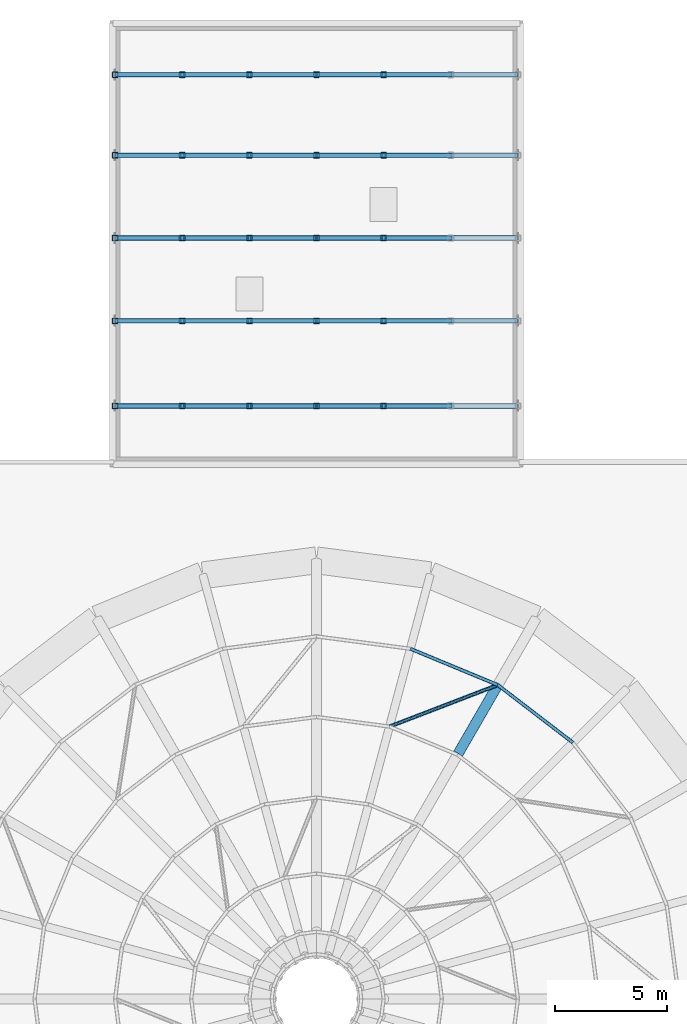
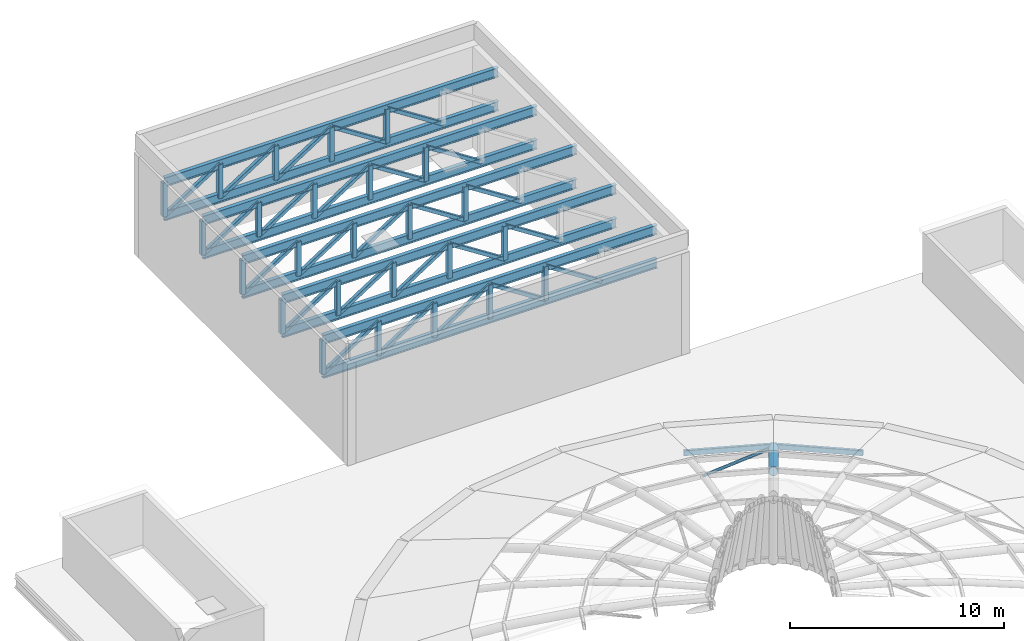
# One storey, part 13 of 25: 54 members, 10 beams.
"""IFC4 building model written with IfcOpenShell, lengths in metres."""

from ifc_helpers import new_model, si_unit, direction, frame, origin, origin_2d, place, context, subcontext, project, spatial, hollow_rectangle, hollow_circle, i_section, extrude, material, material_profile, profile_set, type_object, element, save


model = new_model("IFC4")

# Units and contexts
model_context = context("Model", 3, precision=1e-05, world=origin(), true_north=direction((0.0, 1.0)))
body_context = subcontext(model_context, "Body", "Model", "MODEL_VIEW")
ifc_project = project(units=[si_unit("LENGTHUNIT", "METRE"), si_unit("AREAUNIT", "SQUARE_METRE"), si_unit("VOLUMEUNIT", "CUBIC_METRE"), si_unit("PLANEANGLEUNIT", "RADIAN"), si_unit("MASSUNIT", "GRAM", prefix="KILO")], contexts=[model_context])

# Site, building, storey
site_placement = place(None, origin())
site = spatial("IfcSite", under=ifc_project, at=site_placement, CompositionType="ELEMENT")
building_placement = place(site_placement, origin())
building = spatial("IfcBuilding", under=site, at=building_placement, Name="Marnock Terrace Opera House", CompositionType="ELEMENT")
storey_placement = place(building_placement, frame((0.0, 0.0, 28.199951171875)))
storey = spatial("IfcBuildingStorey", under=building, at=storey_placement, Name="RF", CompositionType="ELEMENT", Elevation=28.199951171875)

# Beams
ifc_material_1 = material(Name="Steel Grade 350 (AS/NZS 3679.1)", Category="steel")
ifc_material_profile_1 = material_profile(ifc_material_1, i_section(OverallWidth=0.208984375, OverallDepth=0.532958984375, WebThickness=0.01025390625, FlangeThickness=0.015625, FilletRadius=0.013916015625, at=origin_2d()))
ifc_profile_set_1 = profile_set([ifc_material_profile_1], Name="Steel Grade 350 (AS/NZS 3679.1)")
beam_type_1 = type_object("IfcBeamType", Name="BM-GIRD-530A", PredefinedType="BEAM", material=ifc_profile_set_1)
for number, where, z_axis, x_axis, name in (
    (1, (73.0, 87.0, 5.510009765625), (1.0, 0.0, 0.0), (0.0, 1.0, 0.0), "Fly Tower Pratt truss 1 top chord"),
    (2, (73.0, 90.800048828125, 5.510009765625), (1.0, 0.0, 0.0), (0.0, 1.0, 0.0), "Fly Tower Pratt truss 2 top chord"),
    (3, (73.0, 94.5, 5.510009765625), (1.0, 0.0, 0.0), (0.0, 1.0, 0.0), "Fly Tower Pratt truss 3 top chord"),
    (4, (73.0, 98.199951171875, 5.510009765625), (1.0, 0.0, 0.0), (0.0, 1.0, 0.0), "Fly Tower Pratt truss 4 top chord"),
    (5, (73.0, 101.800048828125, 5.510009765625), (1.0, 0.0, 0.0), (0.0, 1.0, 0.0), "Fly Tower Pratt truss 5 top chord"),
):
    element("IfcBeam", number, at=place(storey_placement, frame(where, z_axis=z_axis, x_axis=x_axis)), inside=storey, type_object=beam_type_1, Name=name, PredefinedType="BEAM", context=body_context, shape_type="SweptSolid", body=[
        extrude(i_section(OverallWidth=0.208984375, OverallDepth=0.532958984375, WebThickness=0.01025390625, FlangeThickness=0.015625, FilletRadius=0.013916015625, at=origin_2d()), origin(), (0.0, 0.0, 1.0), 18.0),
    ])
ifc_material_profile_2 = material_profile(ifc_material_1, i_section(OverallWidth=0.208984375, OverallDepth=0.528076171875, WebThickness=0.009521484375, FlangeThickness=0.01318359375, FilletRadius=0.013916015625, at=origin_2d()))
ifc_profile_set_2 = profile_set([ifc_material_profile_2], Name="Steel Grade 350 (AS/NZS 3679.1)")
beam_type_2 = type_object("IfcBeamType", Name="BM-GIRD-530B", PredefinedType="BEAM", material=ifc_profile_set_2)
for number, where, z_axis, x_axis, name in (
    (6, (73.0, 87.0, 3.580078125), (1.0, 0.0, 0.0), (0.0, 1.0, 0.0), "Fly Tower Pratt truss 1 bottom chord"),
    (7, (73.0, 90.800048828125, 3.580078125), (1.0, 0.0, 0.0), (0.0, 1.0, 0.0), "Fly Tower Pratt truss 2 bottom chord"),
    (8, (73.0, 94.5, 3.580078125), (1.0, 0.0, 0.0), (0.0, 1.0, 0.0), "Fly Tower Pratt truss 3 bottom chord"),
    (9, (73.0, 98.199951171875, 3.580078125), (1.0, 0.0, 0.0), (0.0, 1.0, 0.0), "Fly Tower Pratt truss 4 bottom chord"),
    (10, (73.0, 101.800048828125, 3.580078125), (1.0, 0.0, 0.0), (0.0, 1.0, 0.0), "Fly Tower Pratt truss 5 bottom chord"),
):
    element("IfcBeam", number, at=place(storey_placement, frame(where, z_axis=z_axis, x_axis=x_axis)), inside=storey, type_object=beam_type_2, Name=name, PredefinedType="BEAM", context=body_context, shape_type="SweptSolid", body=[
        extrude(i_section(OverallWidth=0.208984375, OverallDepth=0.528076171875, WebThickness=0.009521484375, FlangeThickness=0.01318359375, FilletRadius=0.013916015625, at=origin_2d()), origin(), (0.0, 0.0, 1.0), 18.0),
    ])

# Members
ifc_material_2 = material(Name="Cold-formed Steel Grade C350L0 (AS/NZS 1163)", Category="steel")
ifc_material_profile_3 = material_profile(ifc_material_2, hollow_circle(Radius=0.084228515625, WallThickness=0.007080078125, at=origin_2d()))
ifc_profile_set_3 = profile_set([ifc_material_profile_3], Name="Cold-formed Steel Grade C350L0 (AS/NZS 1163)")
member_type_1 = type_object("IfcMemberType", Name="MEM-BRACE-CHS2", PredefinedType="BRACE", material=ifc_profile_set_3)
member_1_placement = place(storey_placement, frame((90.10009765625, 74.529541015625, 0.932861328125), z_axis=(-0.9095995061, -0.349429396541, 0.224783974817), x_axis=(0.358606634093, -0.933488769073, 0.0)))
element("IfcMember", 11, at=member_1_placement, inside=storey, type_object=member_type_1, Name="Auditorium dome diagonal shell brace 1.5", PredefinedType="BRACE", context=body_context, shape_type="SweptSolid", body=[
    extrude(hollow_circle(Radius=0.084228515625, WallThickness=0.007080078125, at=origin_2d()), origin(), (0.0, 0.0, 1.0), 5.31982421875),
])
ifc_material_profile_4 = material_profile(ifc_material_2, hollow_circle(Radius=0.228515625, WallThickness=0.0126953125, at=origin_2d()))
ifc_profile_set_4 = profile_set([ifc_material_profile_4], Name="Cold-formed Steel Grade C350L0 (AS/NZS 1163)")
member_type_2 = type_object("IfcMemberType", Name="MEM-DOME-RIB1", PredefinedType="RAFTER", material=ifc_profile_set_4)
member_2_placement = place(storey_placement, frame((90.10009765625, 74.529541015625, 0.932861328125), z_axis=(-0.476556444732, -0.825393435403, 0.302687349882), x_axis=(0.866018442252, -0.500012057535, 0.0)))
element("IfcMember", 12, at=member_2_placement, inside=storey, type_object=member_type_2, Name="Auditorium dome meridian steel rib 5.2", PredefinedType="RAFTER", context=body_context, shape_type="SweptSolid", body=[
    extrude(hollow_circle(Radius=0.228515625, WallThickness=0.0126953125, at=origin_2d()), origin(), (0.0, 0.0, 1.0), 3.777099609375),
])
ifc_material_profile_5 = material_profile(ifc_material_2, hollow_rectangle(XDim=0.14990234375, YDim=0.300048828125, WallThickness=0.010009765625, InnerFilletRadius=0.010009765625, OuterFilletRadius=0.02001953125, at=origin_2d()))
ifc_profile_set_5 = profile_set([ifc_material_profile_5], Name="Cold-formed Steel Grade C350L0 (AS/NZS 1163)")
member_type_3 = type_object("IfcMemberType", Name="MEM-DOME-RING1", PredefinedType="PURLIN", material=ifc_profile_set_5)
member_3_placement = place(storey_placement, frame((93.455078125, 71.955078125, 1.000732421875), z_axis=(-0.793342395594, 0.608775692151, 0.0), x_axis=(-0.608775692151, -0.793342395594, 0.0)))
element("IfcMember", 13, at=member_3_placement, inside=storey, type_object=member_type_3, Name="Auditorium dome latitude purlin ring 1.4", PredefinedType="PURLIN", context=body_context, shape_type="SweptSolid", body=[
    extrude(hollow_rectangle(XDim=0.14990234375, YDim=0.300048828125, WallThickness=0.010009765625, InnerFilletRadius=0.010009765625, OuterFilletRadius=0.02001953125, at=origin_2d()), origin(), (0.0, 0.0, 1.0), 4.22900390625),
])
member_4_placement = place(storey_placement, frame((90.10009765625, 74.529541015625, 1.000732421875), z_axis=(-0.923881039826, 0.382679793365, 0.0), x_axis=(-0.382679793365, -0.923881039826, 0.0)))
element("IfcMember", 14, at=member_4_placement, inside=storey, type_object=member_type_3, Name="Auditorium dome latitude purlin ring 1.5", PredefinedType="PURLIN", context=body_context, shape_type="SweptSolid", body=[
    extrude(hollow_rectangle(XDim=0.14990234375, YDim=0.300048828125, WallThickness=0.010009765625, InnerFilletRadius=0.010009765625, OuterFilletRadius=0.02001953125, at=origin_2d()), origin(), (0.0, 0.0, 1.0), 4.229248046875),
])
ifc_material_profile_6 = material_profile(ifc_material_2, hollow_rectangle(XDim=0.25, YDim=0.25, WallThickness=0.010009765625, InnerFilletRadius=0.010009765625, OuterFilletRadius=0.02001953125, at=origin_2d()))
ifc_profile_set_6 = profile_set([ifc_material_profile_6], Name="Cold-formed Steel Grade C350L0 (AS/NZS 1163)")
member_type_4 = type_object("IfcMemberType", Name="MEM-TRUSS-WEB1", PredefinedType="STRUT", material=ifc_profile_set_6)
for number, where, z_axis, x_axis, name in (
    (15, (73.0, 87.0, 3.580078125), (0.0, 0.0, 1.0), (1.0, 0.0, 0.0), "Fly Tower Pratt truss 1 vertical 0"),
    (16, (76.0, 87.0, 3.580078125), (0.0, 0.0, 1.0), (1.0, 0.0, 0.0), "Fly Tower Pratt truss 1 vertical 1"),
    (17, (79.0, 87.0, 3.580078125), (0.0, 0.0, 1.0), (1.0, 0.0, 0.0), "Fly Tower Pratt truss 1 vertical 2"),
    (18, (82.0, 87.0, 3.580078125), (0.0, 0.0, 1.0), (1.0, 0.0, 0.0), "Fly Tower Pratt truss 1 vertical 3"),
    (19, (85.0, 87.0, 3.580078125), (0.0, 0.0, 1.0), (1.0, 0.0, 0.0), "Fly Tower Pratt truss 1 vertical 4"),
    (20, (73.0, 90.800048828125, 3.580078125), (0.0, 0.0, 1.0), (1.0, 0.0, 0.0), "Fly Tower Pratt truss 2 vertical 0"),
    (21, (76.0, 90.800048828125, 3.580078125), (0.0, 0.0, 1.0), (1.0, 0.0, 0.0), "Fly Tower Pratt truss 2 vertical 1"),
    (22, (79.0, 90.800048828125, 3.580078125), (0.0, 0.0, 1.0), (1.0, 0.0, 0.0), "Fly Tower Pratt truss 2 vertical 2"),
    (23, (82.0, 90.800048828125, 3.580078125), (0.0, 0.0, 1.0), (1.0, 0.0, 0.0), "Fly Tower Pratt truss 2 vertical 3"),
    (24, (85.0, 90.800048828125, 3.580078125), (0.0, 0.0, 1.0), (1.0, 0.0, 0.0), "Fly Tower Pratt truss 2 vertical 4"),
    (25, (73.0, 94.5, 3.580078125), (0.0, 0.0, 1.0), (1.0, 0.0, 0.0), "Fly Tower Pratt truss 3 vertical 0"),
    (26, (76.0, 94.5, 3.580078125), (0.0, 0.0, 1.0), (1.0, 0.0, 0.0), "Fly Tower Pratt truss 3 vertical 1"),
    (27, (79.0, 94.5, 3.580078125), (0.0, 0.0, 1.0), (1.0, 0.0, 0.0), "Fly Tower Pratt truss 3 vertical 2"),
    (28, (82.0, 94.5, 3.580078125), (0.0, 0.0, 1.0), (1.0, 0.0, 0.0), "Fly Tower Pratt truss 3 vertical 3"),
    (29, (85.0, 94.5, 3.580078125), (0.0, 0.0, 1.0), (1.0, 0.0, 0.0), "Fly Tower Pratt truss 3 vertical 4"),
    (30, (73.0, 98.199951171875, 3.580078125), (0.0, 0.0, 1.0), (1.0, 0.0, 0.0), "Fly Tower Pratt truss 4 vertical 0"),
    (31, (76.0, 98.199951171875, 3.580078125), (0.0, 0.0, 1.0), (1.0, 0.0, 0.0), "Fly Tower Pratt truss 4 vertical 1"),
    (32, (79.0, 98.199951171875, 3.580078125), (0.0, 0.0, 1.0), (1.0, 0.0, 0.0), "Fly Tower Pratt truss 4 vertical 2"),
    (33, (82.0, 98.199951171875, 3.580078125), (0.0, 0.0, 1.0), (1.0, 0.0, 0.0), "Fly Tower Pratt truss 4 vertical 3"),
    (34, (85.0, 98.199951171875, 3.580078125), (0.0, 0.0, 1.0), (1.0, 0.0, 0.0), "Fly Tower Pratt truss 4 vertical 4"),
    (35, (73.0, 101.800048828125, 3.580078125), (0.0, 0.0, 1.0), (1.0, 0.0, 0.0), "Fly Tower Pratt truss 5 vertical 0"),
    (36, (76.0, 101.800048828125, 3.580078125), (0.0, 0.0, 1.0), (1.0, 0.0, 0.0), "Fly Tower Pratt truss 5 vertical 1"),
    (37, (79.0, 101.800048828125, 3.580078125), (0.0, 0.0, 1.0), (1.0, 0.0, 0.0), "Fly Tower Pratt truss 5 vertical 2"),
    (38, (82.0, 101.800048828125, 3.580078125), (0.0, 0.0, 1.0), (1.0, 0.0, 0.0), "Fly Tower Pratt truss 5 vertical 3"),
    (39, (85.0, 101.800048828125, 3.580078125), (0.0, 0.0, 1.0), (1.0, 0.0, 0.0), "Fly Tower Pratt truss 5 vertical 4"),
):
    element("IfcMember", number, at=place(storey_placement, frame(where, z_axis=z_axis, x_axis=x_axis)), inside=storey, type_object=member_type_4, Name=name, PredefinedType="STRUT", context=body_context, shape_type="SweptSolid", body=[
        extrude(hollow_rectangle(XDim=0.25, YDim=0.25, WallThickness=0.010009765625, InnerFilletRadius=0.010009765625, OuterFilletRadius=0.02001953125, at=origin_2d()), origin(), (0.0, 0.0, 1.0), 1.929931640625),
    ])
ifc_material_profile_7 = material_profile(ifc_material_2, hollow_rectangle(XDim=0.199951171875, YDim=0.199951171875, WallThickness=0.009033203125, InnerFilletRadius=0.009033203125, OuterFilletRadius=0.01806640625, at=origin_2d()))
ifc_profile_set_7 = profile_set([ifc_material_profile_7], Name="Cold-formed Steel Grade C350L0 (AS/NZS 1163)")
member_type_5 = type_object("IfcMemberType", Name="MEM-TRUSS-WEB2", PredefinedType="BRACE", material=ifc_profile_set_7)
for number, where, z_axis, x_axis, name in (
    (40, (73.0, 87.0, 3.580078125), (0.841004981943, 0.0, 0.541027374859), (0.0, 1.0, 0.0), "Fly Tower Pratt truss 1 diagonal 0"),
    (41, (76.0, 87.0, 3.580078125), (0.841004981943, 0.0, 0.541027374859), (0.0, 1.0, 0.0), "Fly Tower Pratt truss 1 diagonal 1"),
    (42, (79.0, 87.0, 3.580078125), (0.841004981943, 0.0, 0.541027374859), (0.0, 1.0, 0.0), "Fly Tower Pratt truss 1 diagonal 2"),
    (43, (85.0, 87.0, 3.580078125), (-0.841004981943, 0.0, 0.541027374859), (0.0, -1.0, 0.0), "Fly Tower Pratt truss 1 diagonal 3"),
    (44, (88.0, 87.0, 3.580078125), (-0.841004981943, 0.0, 0.541027374859), (0.0, -1.0, 0.0), "Fly Tower Pratt truss 1 diagonal 4"),
    (45, (73.0, 90.800048828125, 3.580078125), (0.841004981943, 0.0, 0.541027374859), (0.0, 1.0, 0.0), "Fly Tower Pratt truss 2 diagonal 0"),
    (46, (76.0, 90.800048828125, 3.580078125), (0.841004981943, 0.0, 0.541027374859), (0.0, 1.0, 0.0), "Fly Tower Pratt truss 2 diagonal 1"),
    (47, (79.0, 90.800048828125, 3.580078125), (0.841004981943, 0.0, 0.541027374859), (0.0, 1.0, 0.0), "Fly Tower Pratt truss 2 diagonal 2"),
    (48, (85.0, 90.800048828125, 3.580078125), (-0.841004981943, 0.0, 0.541027374859), (0.0, -1.0, 0.0), "Fly Tower Pratt truss 2 diagonal 3"),
    (49, (88.0, 90.800048828125, 3.580078125), (-0.841004981943, 0.0, 0.541027374859), (0.0, -1.0, 0.0), "Fly Tower Pratt truss 2 diagonal 4"),
    (50, (73.0, 94.5, 3.580078125), (0.841004981943, 0.0, 0.541027374859), (0.0, 1.0, 0.0), "Fly Tower Pratt truss 3 diagonal 0"),
    (51, (76.0, 94.5, 3.580078125), (0.841004981943, 0.0, 0.541027374859), (0.0, 1.0, 0.0), "Fly Tower Pratt truss 3 diagonal 1"),
    (52, (79.0, 94.5, 3.580078125), (0.841004981943, 0.0, 0.541027374859), (0.0, 1.0, 0.0), "Fly Tower Pratt truss 3 diagonal 2"),
    (53, (85.0, 94.5, 3.580078125), (-0.841004981943, 0.0, 0.541027374859), (0.0, -1.0, 0.0), "Fly Tower Pratt truss 3 diagonal 3"),
    (54, (88.0, 94.5, 3.580078125), (-0.841004981943, 0.0, 0.541027374859), (0.0, -1.0, 0.0), "Fly Tower Pratt truss 3 diagonal 4"),
    (55, (73.0, 98.199951171875, 3.580078125), (0.841004981943, 0.0, 0.541027374859), (0.0, 1.0, 0.0), "Fly Tower Pratt truss 4 diagonal 0"),
    (56, (76.0, 98.199951171875, 3.580078125), (0.841004981943, 0.0, 0.541027374859), (0.0, 1.0, 0.0), "Fly Tower Pratt truss 4 diagonal 1"),
    (57, (79.0, 98.199951171875, 3.580078125), (0.841004981943, 0.0, 0.541027374859), (0.0, 1.0, 0.0), "Fly Tower Pratt truss 4 diagonal 2"),
    (58, (85.0, 98.199951171875, 3.580078125), (-0.841004981943, 0.0, 0.541027374859), (0.0, -1.0, 0.0), "Fly Tower Pratt truss 4 diagonal 3"),
    (59, (88.0, 98.199951171875, 3.580078125), (-0.841004981943, 0.0, 0.541027374859), (0.0, -1.0, 0.0), "Fly Tower Pratt truss 4 diagonal 4"),
    (60, (73.0, 101.800048828125, 3.580078125), (0.841004981943, 0.0, 0.541027374859), (0.0, 1.0, 0.0), "Fly Tower Pratt truss 5 diagonal 0"),
    (61, (76.0, 101.800048828125, 3.580078125), (0.841004981943, 0.0, 0.541027374859), (0.0, 1.0, 0.0), "Fly Tower Pratt truss 5 diagonal 1"),
    (62, (79.0, 101.800048828125, 3.580078125), (0.841004981943, 0.0, 0.541027374859), (0.0, 1.0, 0.0), "Fly Tower Pratt truss 5 diagonal 2"),
    (63, (85.0, 101.800048828125, 3.580078125), (-0.841004981943, 0.0, 0.541027374859), (0.0, -1.0, 0.0), "Fly Tower Pratt truss 5 diagonal 3"),
    (64, (88.0, 101.800048828125, 3.580078125), (-0.841004981943, 0.0, 0.541027374859), (0.0, -1.0, 0.0), "Fly Tower Pratt truss 5 diagonal 4"),
):
    element("IfcMember", number, at=place(storey_placement, frame(where, z_axis=z_axis, x_axis=x_axis)), inside=storey, type_object=member_type_5, Name=name, PredefinedType="BRACE", context=body_context, shape_type="SweptSolid", body=[
        extrude(hollow_rectangle(XDim=0.199951171875, YDim=0.199951171875, WallThickness=0.009033203125, InnerFilletRadius=0.009033203125, OuterFilletRadius=0.01806640625, at=origin_2d()), origin(), (0.0, 0.0, 1.0), 3.567138671875),
    ])

save(model, "model.ifc")
